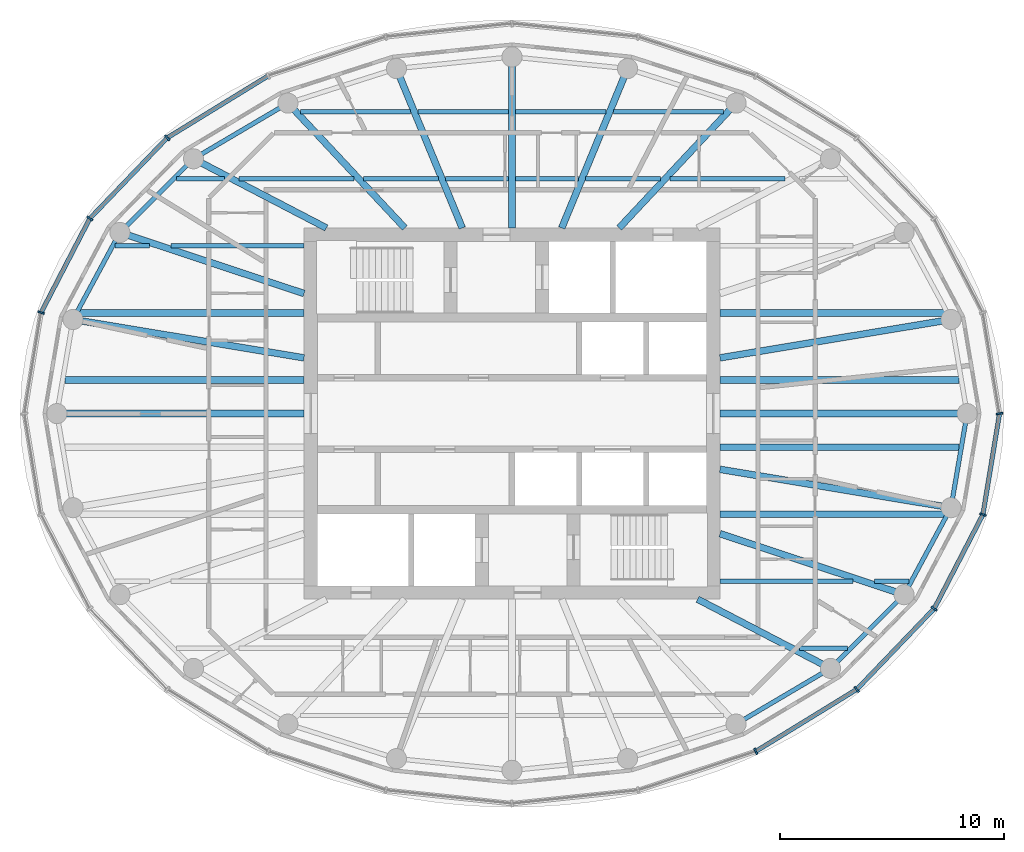
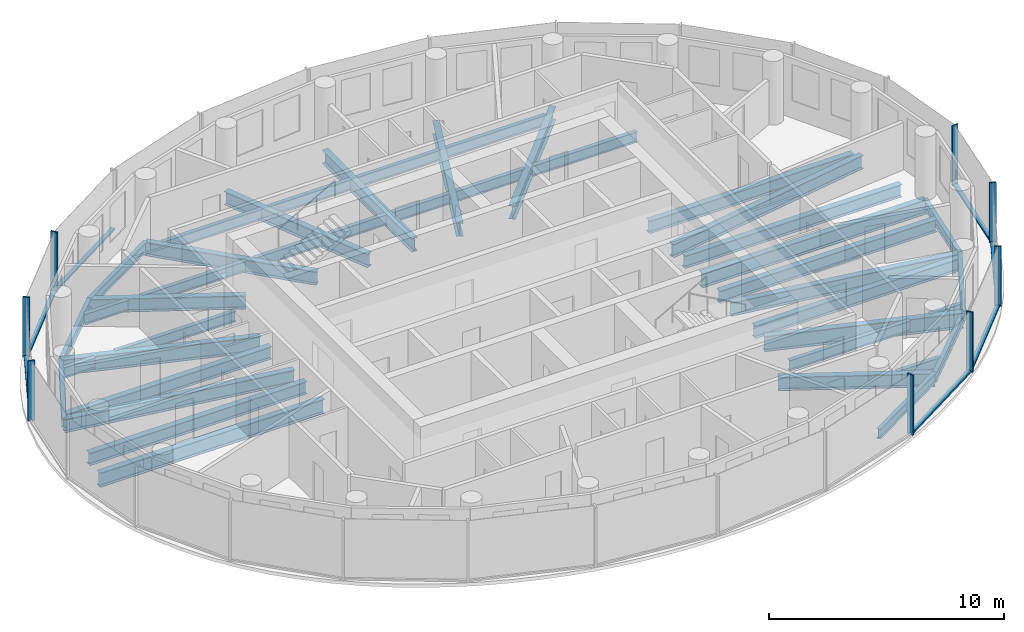
# One storey, part 2 of 11: 43 beams, 15 members, 3 elements without a shape of their own.
"""IFC4 building model written with IfcOpenShell, lengths in metres."""

from ifc_helpers import new_model, si_unit, direction, frame, origin, origin_2d, place, context, subcontext, project, spatial, rectangle, i_section, extrude, material, material_profile, profile_set, type_object, element, aggregate, save


model = new_model("IFC4")

# Units and contexts
model_context = context("Model", 3, precision=1e-05, world=origin(), true_north=direction((0.0, 1.0)))
body_context = subcontext(model_context, "Body", "Model", "MODEL_VIEW")
ifc_project = project(units=[si_unit("LENGTHUNIT", "METRE"), si_unit("AREAUNIT", "SQUARE_METRE"), si_unit("VOLUMEUNIT", "CUBIC_METRE"), si_unit("PLANEANGLEUNIT", "RADIAN"), si_unit("MASSUNIT", "GRAM", prefix="KILO")], contexts=[model_context])

# Site, building, storey
site_placement = place(None, origin())
site = spatial("IfcSite", under=ifc_project, at=site_placement, CompositionType="ELEMENT")
building_placement = place(site_placement, origin())
building = spatial("IfcBuilding", under=site, at=building_placement, Name="Hankou Lantern Tower", CompositionType="ELEMENT")
storey_placement = place(building_placement, frame((0.0, 0.0, 212.699951171875)))
storey = spatial("IfcBuildingStorey", under=building, at=storey_placement, Name="L57", CompositionType="ELEMENT", Elevation=212.699951171875)

# Beams
ifc_material_1 = material(Name="Steel Q355B", Category="steel")
ifc_material_profile_1 = material_profile(ifc_material_1, i_section(OverallWidth=0.199951171875, OverallDepth=0.5, WebThickness=0.010009765625, FlangeThickness=0.01611328125, FilletRadius=0.012939453125, at=origin_2d()), Name="HN500x200x10x16")
ifc_profile_set_1 = profile_set([ifc_material_profile_1], Name="Steel Q355B")
beam_type_1 = type_object("IfcBeamType", Name="EB5 RING BEAM HN500x200x10x16", PredefinedType="SPANDREL", material=ifc_profile_set_1)
beam_1_placement = place(storey_placement, frame((-10.01904296875, 13.8828125, -0.429931640625), z_axis=(-0.861422897323, -0.507888365655, 0.0), x_axis=(0.507888365655, -0.861422897323, 0.0)))
element("IfcBeam", 1, at=beam_1_placement, inside=storey, type_object=beam_type_1, Name="Ring beam R09-R10 L57", PredefinedType="SPANDREL", context=body_context, shape_type="SweptSolid", body=[
    extrude(i_section(OverallWidth=0.199951171875, OverallDepth=0.5, WebThickness=0.010009765625, FlangeThickness=0.01611328125, FilletRadius=0.012939453125, at=origin_2d()), origin(), (0.0, 0.0, 1.0), 4.901611328125),
])
beam_2_placement = place(storey_placement, frame((-14.241455078125, 11.393310546875, -0.429931640625), z_axis=(-0.706608588034, -0.707604623583, 0.0), x_axis=(0.707604623583, -0.706608588034, 0.0)))
element("IfcBeam", 2, at=beam_2_placement, inside=storey, type_object=beam_type_1, Name="Ring beam R10-R11 L57", PredefinedType="SPANDREL", context=body_context, shape_type="SweptSolid", body=[
    extrude(i_section(OverallWidth=0.199951171875, OverallDepth=0.5, WebThickness=0.010009765625, FlangeThickness=0.01611328125, FilletRadius=0.012939453125, at=origin_2d()), origin(), (0.0, 0.0, 1.0), 4.6572265625),
])
beam_3_placement = place(storey_placement, frame((-17.5322265625, 8.097900390625, -0.429931640625), z_axis=(-0.474491806611, -0.880259919262, 0.0), x_axis=(0.880259919262, -0.474491806611, 0.0)))
element("IfcBeam", 3, at=beam_3_placement, inside=storey, type_object=beam_type_1, Name="Ring beam R11-R12 L57", PredefinedType="SPANDREL", context=body_context, shape_type="SweptSolid", body=[
    extrude(i_section(OverallWidth=0.199951171875, OverallDepth=0.5, WebThickness=0.010009765625, FlangeThickness=0.01611328125, FilletRadius=0.012939453125, at=origin_2d()), origin(), (0.0, 0.0, 1.0), 4.419189453125),
])
beam_4_placement = place(storey_placement, frame((10.01904296875, -13.8828125, -0.429931640625), z_axis=(0.861422897323, 0.507888365655, 0.0), x_axis=(-0.507888365655, 0.861422897323, 0.0)))
element("IfcBeam", 4, at=beam_4_placement, inside=storey, type_object=beam_type_1, Name="Ring beam R21-R22 L57", PredefinedType="SPANDREL", context=body_context, shape_type="SweptSolid", body=[
    extrude(i_section(OverallWidth=0.199951171875, OverallDepth=0.5, WebThickness=0.010009765625, FlangeThickness=0.01611328125, FilletRadius=0.012939453125, at=origin_2d()), origin(), (0.0, 0.0, 1.0), 4.901611328125),
])
beam_5_placement = place(storey_placement, frame((14.241455078125, -11.393310546875, -0.429931640625), z_axis=(0.706608588034, 0.707604623583, 0.0), x_axis=(-0.707604623583, 0.706608588034, 0.0)))
element("IfcBeam", 5, at=beam_5_placement, inside=storey, type_object=beam_type_1, Name="Ring beam R22-R23 L57", PredefinedType="SPANDREL", context=body_context, shape_type="SweptSolid", body=[
    extrude(i_section(OverallWidth=0.199951171875, OverallDepth=0.5, WebThickness=0.010009765625, FlangeThickness=0.01611328125, FilletRadius=0.012939453125, at=origin_2d()), origin(), (0.0, 0.0, 1.0), 4.6572265625),
])
beam_6_placement = place(storey_placement, frame((17.5322265625, -8.097900390625, -0.429931640625), z_axis=(0.474491806611, 0.880259919262, 0.0), x_axis=(-0.880259919262, 0.474491806611, 0.0)))
element("IfcBeam", 6, at=beam_6_placement, inside=storey, type_object=beam_type_1, Name="Ring beam R23-R24 L57", PredefinedType="SPANDREL", context=body_context, shape_type="SweptSolid", body=[
    extrude(i_section(OverallWidth=0.199951171875, OverallDepth=0.5, WebThickness=0.010009765625, FlangeThickness=0.01611328125, FilletRadius=0.012939453125, at=origin_2d()), origin(), (0.0, 0.0, 1.0), 4.419189453125),
])
beam_7_placement = place(storey_placement, frame((19.629150390625, -4.207763671875, -0.429931640625), z_axis=(0.168876512999, 0.98563721691, 0.0), x_axis=(-0.98563721691, 0.168876512999, 0.0)))
element("IfcBeam", 7, at=beam_7_placement, inside=storey, type_object=beam_type_1, Name="Ring beam R24-R01 L57", PredefinedType="SPANDREL", context=body_context, shape_type="SweptSolid", body=[
    extrude(i_section(OverallWidth=0.199951171875, OverallDepth=0.5, WebThickness=0.010009765625, FlangeThickness=0.01611328125, FilletRadius=0.012939453125, at=origin_2d()), origin(), (0.0, 0.0, 1.0), 4.26904296875),
])

# Curtain wall, member
ifc_material_2 = material(Name="Glass, dark grey tinted laminated", Category="glass")
curtain_wall_type = type_object("IfcCurtainWallType", Name="CWD OUTER SKIN SUITE", PredefinedType="USERDEFINED", material=ifc_material_2)
curtain_wall_1_placement = place(storey_placement, origin())
curtain_wall_1 = element("IfcCurtainWall", 8, at=curtain_wall_1_placement, inside=storey, type_object=curtain_wall_type, Name="CWD L57 OS1", ObjectType="OUTER SKIN SUITE", PredefinedType="USERDEFINED")
ifc_material_3 = material(Name="Aluminium, black anodised", Category="aluminium")
ifc_material_profile_2 = material_profile(ifc_material_3, rectangle(XDim=0.080078125, YDim=0.300048828125, at=origin_2d()), Name="MU1 80X300")
ifc_profile_set_2 = profile_set([ifc_material_profile_2], Name="Aluminium, black anodised")
member_type_1 = type_object("IfcMemberType", Name="MU1 OUTER SKIN MULLION 80X300", PredefinedType="MULLION", material=ifc_profile_set_2)
member_1_placement = place(storey_placement, frame((21.800048828125, 0.0, 0.0), z_axis=(0.0, 0.0, 1.0), x_axis=(-0.162381515188, 0.986728049427, 0.0)))
member_1 = element("IfcMember", 9, at=member_1_placement, type_object=member_type_1, Name="CWD mullion 1", PredefinedType="MULLION", context=body_context, shape_type="SweptSolid", body=[
    extrude(rectangle(XDim=0.080078125, YDim=0.300048828125, at=origin_2d()), origin(), (0.0, 0.0, 1.0), 3.1201171875),
])
aggregate(curtain_wall_1, [member_1])

# Curtain wall, members
curtain_wall_2_placement = place(storey_placement, origin())
curtain_wall_2 = element("IfcCurtainWall", 10, at=curtain_wall_2_placement, inside=storey, type_object=curtain_wall_type, Name="CWD L57 OS2", ObjectType="OUTER SKIN SUITE", PredefinedType="USERDEFINED")
member_2_placement = place(storey_placement, frame((-15.4150390625, 12.33203125, 0.0), z_axis=(0.0, 0.0, 1.0), x_axis=(-0.780868809444, -0.624695047553, 0.0)))
member_2 = element("IfcMember", 11, at=member_2_placement, type_object=member_type_1, Name="CWD mullion 4", PredefinedType="MULLION", context=body_context, shape_type="SweptSolid", body=[
    extrude(rectangle(XDim=0.080078125, YDim=0.300048828125, at=origin_2d()), origin(), (0.0, 0.0, 1.0), 3.1201171875),
])
member_3_placement = place(storey_placement, frame((-18.87939453125, 8.719970703125, 0.0), z_axis=(0.0, 0.0, 1.0), x_axis=(-0.585205735974, -0.810884854084, 0.0)))
member_3 = element("IfcMember", 12, at=member_3_placement, type_object=member_type_1, Name="CWD mullion 5", PredefinedType="MULLION", context=body_context, shape_type="SweptSolid", body=[
    extrude(rectangle(XDim=0.080078125, YDim=0.300048828125, at=origin_2d()), origin(), (0.0, 0.0, 1.0), 3.1201171875),
])
member_4_placement = place(storey_placement, frame((-21.05712890625, 4.513916015625, 0.0), z_axis=(0.0, 0.0, 1.0), x_axis=(-0.317595577365, -0.94822626479, 0.0)))
member_4 = element("IfcMember", 13, at=member_4_placement, type_object=member_type_1, Name="CWD mullion 6", PredefinedType="MULLION", context=body_context, shape_type="SweptSolid", body=[
    extrude(rectangle(XDim=0.080078125, YDim=0.300048828125, at=origin_2d()), origin(), (0.0, 0.0, 1.0), 3.1201171875),
])

curtain_wall_3_placement = place(storey_placement, origin())
curtain_wall_3 = element("IfcCurtainWall", 14, at=curtain_wall_3_placement, inside=storey, type_object=curtain_wall_type, Name="CWD L57 OS4", ObjectType="OUTER SKIN SUITE", PredefinedType="USERDEFINED")
member_5_placement = place(storey_placement, frame((10.89990234375, -15.103515625, 0.0), z_axis=(0.0, 0.0, 1.0), x_axis=(0.907841299004, 0.419313934686, 0.0)))
member_5 = element("IfcMember", 15, at=member_5_placement, type_object=member_type_1, Name="CWD mullion 3", PredefinedType="MULLION", context=body_context, shape_type="SweptSolid", body=[
    extrude(rectangle(XDim=0.080078125, YDim=0.300048828125, at=origin_2d()), origin(), (0.0, 0.0, 1.0), 3.1201171875),
])
member_6_placement = place(storey_placement, frame((15.4150390625, -12.33203125, 0.0), z_axis=(0.0, 0.0, 1.0), x_axis=(0.780868809444, 0.624695047553, 0.0)))
member_6 = element("IfcMember", 16, at=member_6_placement, type_object=member_type_1, Name="CWD mullion 4", PredefinedType="MULLION", context=body_context, shape_type="SweptSolid", body=[
    extrude(rectangle(XDim=0.080078125, YDim=0.300048828125, at=origin_2d()), origin(), (0.0, 0.0, 1.0), 3.1201171875),
])
member_7_placement = place(storey_placement, frame((18.87939453125, -8.719970703125, 0.0), z_axis=(0.0, 0.0, 1.0), x_axis=(0.585205735974, 0.810884854084, 0.0)))
member_7 = element("IfcMember", 17, at=member_7_placement, type_object=member_type_1, Name="CWD mullion 5", PredefinedType="MULLION", context=body_context, shape_type="SweptSolid", body=[
    extrude(rectangle(XDim=0.080078125, YDim=0.300048828125, at=origin_2d()), origin(), (0.0, 0.0, 1.0), 3.1201171875),
])
member_8_placement = place(storey_placement, frame((21.05712890625, -4.513916015625, 0.0), z_axis=(0.0, 0.0, 1.0), x_axis=(0.317595577365, 0.94822626479, 0.0)))
member_8 = element("IfcMember", 18, at=member_8_placement, type_object=member_type_1, Name="CWD mullion 6", PredefinedType="MULLION", context=body_context, shape_type="SweptSolid", body=[
    extrude(rectangle(XDim=0.080078125, YDim=0.300048828125, at=origin_2d()), origin(), (0.0, 0.0, 1.0), 3.1201171875),
])

# Beams
ifc_material_4 = material(Name="Steel Q355B", Category="steel")
ifc_material_profile_3 = material_profile(ifc_material_4, i_section(OverallWidth=0.300048828125, OverallDepth=0.75, WebThickness=0.012939453125, FlangeThickness=0.02392578125, FilletRadius=0.01806640625, at=origin_2d()), Name="HN750x300x13x24")
ifc_profile_set_3 = profile_set([ifc_material_profile_3], Name="Steel Q355B")
beam_type_2 = type_object("IfcBeamType", Name="RB10 RADIAL BEAM HN750x300x13x24", PredefinedType="BEAM", material=ifc_profile_set_3)
for number, where, z_axis, x_axis, name in (
    (19, (9.300048828125, 0.0, -0.554931640625), (1.0, 0.0, 0.0), (0.0, 1.0, 0.0), "Radial beam R01 L57"),
    (20, (-9.300048828125, 0.0, -0.554931640625), (-1.0, 0.0, 0.0), (0.0, -1.0, 0.0), "Radial beam R13 L57"),
):
    element("IfcBeam", number, at=place(storey_placement, frame(where, z_axis=z_axis, x_axis=x_axis)), inside=storey, type_object=beam_type_2, Name=name, PredefinedType="BEAM", context=body_context, shape_type="SweptSolid", body=[
        extrude(i_section(OverallWidth=0.300048828125, OverallDepth=0.75, WebThickness=0.012939453125, FlangeThickness=0.02392578125, FilletRadius=0.01806640625, at=origin_2d()), origin(), (0.0, 0.0, 1.0), 11.050048828125),
    ])
ifc_material_5 = material(Name="Steel Q355B", Category="steel")
ifc_material_profile_4 = material_profile(ifc_material_5, i_section(OverallWidth=0.300048828125, OverallDepth=0.800048828125, WebThickness=0.013916015625, FlangeThickness=0.02587890625, FilletRadius=0.01806640625, at=origin_2d()), Name="HN800x300x14x26")
ifc_profile_set_4 = profile_set([ifc_material_profile_4], Name="Steel Q355B")
beam_type_3 = type_object("IfcBeamType", Name="RB11 RADIAL BEAM HN800x300x14x26", PredefinedType="BEAM", material=ifc_profile_set_4)
for number, where, z_axis, x_axis, name in (
    (21, (-9.300048828125, 5.369384765625, -0.579833984375), (-0.949219608576, 0.314614263337, 0.0), (-0.314614263337, -0.949219608576, 0.0), "Radial beam R11 L57"),
    (22, (9.300048828125, -5.369384765625, -0.579833984375), (0.949219608576, -0.314614263337, 0.0), (0.314614263337, 0.949219608576, 0.0), "Radial beam R23 L57"),
):
    element("IfcBeam", number, at=place(storey_placement, frame(where, z_axis=z_axis, x_axis=x_axis)), inside=storey, type_object=beam_type_3, Name=name, PredefinedType="BEAM", context=body_context, shape_type="SweptSolid", body=[
        extrude(i_section(OverallWidth=0.300048828125, OverallDepth=0.800048828125, WebThickness=0.013916015625, FlangeThickness=0.02587890625, FilletRadius=0.01806640625, at=origin_2d()), origin(), (0.0, 0.0, 1.0), 8.672607421875),
    ])
ifc_material_6 = material(Name="Steel Q355B", Category="steel")
ifc_material_profile_5 = material_profile(ifc_material_6, i_section(OverallWidth=0.300048828125, OverallDepth=0.699951171875, WebThickness=0.012939453125, FlangeThickness=0.02392578125, FilletRadius=0.01806640625, at=origin_2d()), Name="HN700x300x13x24")
ifc_profile_set_5 = profile_set([ifc_material_profile_5], Name="Steel Q355B")
beam_type_4 = type_object("IfcBeamType", Name="RB9 RADIAL BEAM HN700x300x13x24", PredefinedType="BEAM", material=ifc_profile_set_5)
beam_8_placement = place(storey_placement, frame((9.300048828125, 2.491943359375, -0.530029296875), z_axis=(0.986482007061, 0.163869612027, 0.0), x_axis=(-0.163869612027, 0.986482007061, 0.0)))
element("IfcBeam", 23, at=beam_8_placement, inside=storey, type_object=beam_type_4, Name="Radial beam R02 L57", PredefinedType="BEAM", context=body_context, shape_type="SweptSolid", body=[
    extrude(i_section(OverallWidth=0.300048828125, OverallDepth=0.699951171875, WebThickness=0.012939453125, FlangeThickness=0.02392578125, FilletRadius=0.01806640625, at=origin_2d()), origin(), (0.0, 0.0, 1.0), 10.470703125),
])
beam_9_placement = place(storey_placement, frame((4.7919921875, 8.300048828125, -0.530029296875), z_axis=(0.68346844743, 0.729980055459, 0.0), x_axis=(-0.729980055459, 0.68346844743, 0.0)))
element("IfcBeam", 24, at=beam_9_placement, inside=storey, type_object=beam_type_4, Name="Radial beam R05 L57", PredefinedType="BEAM", context=body_context, shape_type="SweptSolid", body=[
    extrude(i_section(OverallWidth=0.300048828125, OverallDepth=0.699951171875, WebThickness=0.012939453125, FlangeThickness=0.02392578125, FilletRadius=0.01806640625, at=origin_2d()), origin(), (0.0, 0.0, 1.0), 7.64794921875),
])
beam_10_placement = place(storey_placement, frame((2.223876953125, 8.300048828125, -0.530029296875), z_axis=(0.381706648123, 0.924283525104, 0.0), x_axis=(-0.924283525104, 0.381706648123, 0.0)))
element("IfcBeam", 25, at=beam_10_placement, inside=storey, type_object=beam_type_4, Name="Radial beam R06 L57", PredefinedType="BEAM", context=body_context, shape_type="SweptSolid", body=[
    extrude(i_section(OverallWidth=0.300048828125, OverallDepth=0.699951171875, WebThickness=0.012939453125, FlangeThickness=0.02392578125, FilletRadius=0.01806640625, at=origin_2d()), origin(), (0.0, 0.0, 1.0), 7.7109375),
])
beam_11_placement = place(storey_placement, frame((0.0, 8.300048828125, -0.530029296875), z_axis=(0.0, 1.0, 0.0), x_axis=(-1.0, 0.0, 0.0)))
element("IfcBeam", 26, at=beam_11_placement, inside=storey, type_object=beam_type_4, Name="Radial beam R07 L57", PredefinedType="BEAM", context=body_context, shape_type="SweptSolid", body=[
    extrude(i_section(OverallWidth=0.300048828125, OverallDepth=0.699951171875, WebThickness=0.012939453125, FlangeThickness=0.02392578125, FilletRadius=0.01806640625, at=origin_2d()), origin(), (0.0, 0.0, 1.0), 7.64990234375),
])
beam_12_placement = place(storey_placement, frame((-2.223876953125, 8.300048828125, -0.530029296875), z_axis=(-0.381706648123, 0.924283525104, 0.0), x_axis=(-0.924283525104, -0.381706648123, 0.0)))
element("IfcBeam", 27, at=beam_12_placement, inside=storey, type_object=beam_type_4, Name="Radial beam R08 L57", PredefinedType="BEAM", context=body_context, shape_type="SweptSolid", body=[
    extrude(i_section(OverallWidth=0.300048828125, OverallDepth=0.699951171875, WebThickness=0.012939453125, FlangeThickness=0.02392578125, FilletRadius=0.01806640625, at=origin_2d()), origin(), (0.0, 0.0, 1.0), 7.7109375),
])
beam_13_placement = place(storey_placement, frame((-4.7919921875, 8.300048828125, -0.530029296875), z_axis=(-0.68346844743, 0.729980055459, 0.0), x_axis=(-0.729980055459, -0.68346844743, 0.0)))
element("IfcBeam", 28, at=beam_13_placement, inside=storey, type_object=beam_type_4, Name="Radial beam R09 L57", PredefinedType="BEAM", context=body_context, shape_type="SweptSolid", body=[
    extrude(i_section(OverallWidth=0.300048828125, OverallDepth=0.699951171875, WebThickness=0.012939453125, FlangeThickness=0.02392578125, FilletRadius=0.01806640625, at=origin_2d()), origin(), (0.0, 0.0, 1.0), 7.64794921875),
])
beam_14_placement = place(storey_placement, frame((-8.300048828125, 8.300048828125, -0.530029296875), z_axis=(-0.886988734783, 0.461791061378, 0.0), x_axis=(-0.461791061378, -0.886988734783, 0.0)))
element("IfcBeam", 29, at=beam_14_placement, inside=storey, type_object=beam_type_4, Name="Radial beam R10 L57", PredefinedType="BEAM", context=body_context, shape_type="SweptSolid", body=[
    extrude(i_section(OverallWidth=0.300048828125, OverallDepth=0.699951171875, WebThickness=0.012939453125, FlangeThickness=0.02392578125, FilletRadius=0.01806640625, at=origin_2d()), origin(), (0.0, 0.0, 1.0), 6.698486328125),
])
beam_15_placement = place(storey_placement, frame((-9.300048828125, 2.491943359375, -0.530029296875), z_axis=(-0.986482007061, 0.163869612027, 0.0), x_axis=(-0.163869612027, -0.986482007061, 0.0)))
element("IfcBeam", 30, at=beam_15_placement, inside=storey, type_object=beam_type_4, Name="Radial beam R12 L57", PredefinedType="BEAM", context=body_context, shape_type="SweptSolid", body=[
    extrude(i_section(OverallWidth=0.300048828125, OverallDepth=0.699951171875, WebThickness=0.012939453125, FlangeThickness=0.02392578125, FilletRadius=0.01806640625, at=origin_2d()), origin(), (0.0, 0.0, 1.0), 10.470703125),
])
beam_16_placement = place(storey_placement, frame((8.300048828125, -8.300048828125, -0.530029296875), z_axis=(0.886988734783, -0.461791061378, 0.0), x_axis=(0.461791061378, 0.886988734783, 0.0)))
element("IfcBeam", 31, at=beam_16_placement, inside=storey, type_object=beam_type_4, Name="Radial beam R22 L57", PredefinedType="BEAM", context=body_context, shape_type="SweptSolid", body=[
    extrude(i_section(OverallWidth=0.300048828125, OverallDepth=0.699951171875, WebThickness=0.012939453125, FlangeThickness=0.02392578125, FilletRadius=0.01806640625, at=origin_2d()), origin(), (0.0, 0.0, 1.0), 6.698486328125),
])
beam_17_placement = place(storey_placement, frame((9.300048828125, -2.491943359375, -0.530029296875), z_axis=(0.986482007061, -0.163869612027, 0.0), x_axis=(0.163869612027, 0.986482007061, 0.0)))
element("IfcBeam", 32, at=beam_17_placement, inside=storey, type_object=beam_type_4, Name="Radial beam R24 L57", PredefinedType="BEAM", context=body_context, shape_type="SweptSolid", body=[
    extrude(i_section(OverallWidth=0.300048828125, OverallDepth=0.699951171875, WebThickness=0.012939453125, FlangeThickness=0.02392578125, FilletRadius=0.01806640625, at=origin_2d()), origin(), (0.0, 0.0, 1.0), 10.470703125),
])
ifc_material_7 = material(Name="Steel Q355B", Category="steel")
ifc_material_profile_6 = material_profile(ifc_material_7, i_section(OverallWidth=0.199951171875, OverallDepth=0.550048828125, WebThickness=0.010009765625, FlangeThickness=0.01611328125, FilletRadius=0.012939453125, at=origin_2d()), Name="HN550x200x10x16")
ifc_profile_set_6 = profile_set([ifc_material_profile_6], Name="Steel Q355B")
beam_type_5 = type_object("IfcBeamType", Name="SB6 SECONDARY BEAM HN550x200x10x16", PredefinedType="JOIST", material=ifc_profile_set_6)
beam_18_placement = place(storey_placement, frame((12.8505859375, -10.5, -0.454833984375), z_axis=(1.0, 0.0, 0.0), x_axis=(0.0, 1.0, 0.0)))
element("IfcBeam", 33, at=beam_18_placement, inside=storey, type_object=beam_type_5, Name="Floor joist J012 L57", PredefinedType="JOIST", context=body_context, shape_type="SweptSolid", body=[
    extrude(i_section(OverallWidth=0.199951171875, OverallDepth=0.550048828125, WebThickness=0.010009765625, FlangeThickness=0.01611328125, FilletRadius=0.012939453125, at=origin_2d()), origin(), (0.0, 0.0, 1.0), 2.1416015625),
])
beam_19_placement = place(storey_placement, frame((9.300048828125, -7.5, -0.454833984375), z_axis=(1.0, 0.0, 0.0), x_axis=(0.0, 1.0, 0.0)))
element("IfcBeam", 34, at=beam_19_placement, inside=storey, type_object=beam_type_5, Name="Floor joist J015 L57", PredefinedType="JOIST", context=body_context, shape_type="SweptSolid", body=[
    extrude(i_section(OverallWidth=0.199951171875, OverallDepth=0.550048828125, WebThickness=0.010009765625, FlangeThickness=0.01611328125, FilletRadius=0.012939453125, at=origin_2d()), origin(), (0.0, 0.0, 1.0), 5.95166015625),
])
for number, where, z_axis, x_axis, name in (
    (35, (16.205322265625, -7.5, -0.454833984375), (1.0, 0.0, 0.0), (0.0, 1.0, 0.0), "Floor joist J016 L57"),
    (36, (-17.740966796875, 7.5, -0.454833984375), (1.0, 0.0, 0.0), (0.0, 1.0, 0.0), "Floor joist J025 L57"),
):
    element("IfcBeam", number, at=place(storey_placement, frame(where, z_axis=z_axis, x_axis=x_axis)), inside=storey, type_object=beam_type_5, Name=name, PredefinedType="JOIST", context=body_context, shape_type="SweptSolid", body=[
        extrude(i_section(OverallWidth=0.199951171875, OverallDepth=0.550048828125, WebThickness=0.010009765625, FlangeThickness=0.01611328125, FilletRadius=0.012939453125, at=origin_2d()), origin(), (0.0, 0.0, 1.0), 1.53564453125),
    ])
beam_20_placement = place(storey_placement, frame((-15.251708984375, 7.5, -0.454833984375), z_axis=(1.0, 0.0, 0.0), x_axis=(0.0, 1.0, 0.0)))
element("IfcBeam", 37, at=beam_20_placement, inside=storey, type_object=beam_type_5, Name="Floor joist J026 L57", PredefinedType="JOIST", context=body_context, shape_type="SweptSolid", body=[
    extrude(i_section(OverallWidth=0.199951171875, OverallDepth=0.550048828125, WebThickness=0.010009765625, FlangeThickness=0.01611328125, FilletRadius=0.012939453125, at=origin_2d()), origin(), (0.0, 0.0, 1.0), 5.95166015625),
])
beam_21_placement = place(storey_placement, frame((-14.9921875, 10.5, -0.454833984375), z_axis=(1.0, 0.0, 0.0), x_axis=(0.0, 1.0, 0.0)))
element("IfcBeam", 38, at=beam_21_placement, inside=storey, type_object=beam_type_5, Name="Floor joist J029 L57", PredefinedType="JOIST", context=body_context, shape_type="SweptSolid", body=[
    extrude(i_section(OverallWidth=0.199951171875, OverallDepth=0.550048828125, WebThickness=0.010009765625, FlangeThickness=0.01611328125, FilletRadius=0.012939453125, at=origin_2d()), origin(), (0.0, 0.0, 1.0), 2.1416015625),
])
beam_22_placement = place(storey_placement, frame((-12.200927734375, 10.5, -0.454833984375), z_axis=(1.0, 0.0, 0.0), x_axis=(0.0, 1.0, 0.0)))
element("IfcBeam", 39, at=beam_22_placement, inside=storey, type_object=beam_type_5, Name="Floor joist J030 L57", PredefinedType="JOIST", context=body_context, shape_type="SweptSolid", body=[
    extrude(i_section(OverallWidth=0.199951171875, OverallDepth=0.550048828125, WebThickness=0.010009765625, FlangeThickness=0.01611328125, FilletRadius=0.012939453125, at=origin_2d()), origin(), (0.0, 0.0, 1.0), 5.1435546875),
])
beam_23_placement = place(storey_placement, frame((-6.646240234375, 10.5, -0.454833984375), z_axis=(1.0, 0.0, 0.0), x_axis=(0.0, 1.0, 0.0)))
element("IfcBeam", 40, at=beam_23_placement, inside=storey, type_object=beam_type_5, Name="Floor joist J031 L57", PredefinedType="JOIST", context=body_context, shape_type="SweptSolid", body=[
    extrude(i_section(OverallWidth=0.199951171875, OverallDepth=0.550048828125, WebThickness=0.010009765625, FlangeThickness=0.01611328125, FilletRadius=0.012939453125, at=origin_2d()), origin(), (0.0, 0.0, 1.0), 3.3515625),
])
for number, where, z_axis, x_axis, name in (
    (41, (-2.97021484375, 10.5, -0.454833984375), (1.0, 0.0, 0.0), (0.0, 1.0, 0.0), "Floor joist J032 L57"),
    (42, (0.14990234375, 10.5, -0.454833984375), (1.0, 0.0, 0.0), (0.0, 1.0, 0.0), "Floor joist J033 L57"),
):
    element("IfcBeam", number, at=place(storey_placement, frame(where, z_axis=z_axis, x_axis=x_axis)), inside=storey, type_object=beam_type_5, Name=name, PredefinedType="JOIST", context=body_context, shape_type="SweptSolid", body=[
        extrude(i_section(OverallWidth=0.199951171875, OverallDepth=0.550048828125, WebThickness=0.010009765625, FlangeThickness=0.01611328125, FilletRadius=0.012939453125, at=origin_2d()), origin(), (0.0, 0.0, 1.0), 2.8203125),
    ])
beam_24_placement = place(storey_placement, frame((3.294677734375, 10.5, -0.454833984375), z_axis=(1.0, 0.0, 0.0), x_axis=(0.0, 1.0, 0.0)))
element("IfcBeam", 43, at=beam_24_placement, inside=storey, type_object=beam_type_5, Name="Floor joist J034 L57", PredefinedType="JOIST", context=body_context, shape_type="SweptSolid", body=[
    extrude(i_section(OverallWidth=0.199951171875, OverallDepth=0.550048828125, WebThickness=0.010009765625, FlangeThickness=0.01611328125, FilletRadius=0.012939453125, at=origin_2d()), origin(), (0.0, 0.0, 1.0), 3.3515625),
])
beam_25_placement = place(storey_placement, frame((7.057373046875, 10.5, -0.454833984375), z_axis=(1.0, 0.0, 0.0), x_axis=(0.0, 1.0, 0.0)))
element("IfcBeam", 44, at=beam_25_placement, inside=storey, type_object=beam_type_5, Name="Floor joist J035 L57", PredefinedType="JOIST", context=body_context, shape_type="SweptSolid", body=[
    extrude(i_section(OverallWidth=0.199951171875, OverallDepth=0.550048828125, WebThickness=0.010009765625, FlangeThickness=0.01611328125, FilletRadius=0.012939453125, at=origin_2d()), origin(), (0.0, 0.0, 1.0), 5.1435546875),
])
beam_26_placement = place(storey_placement, frame((-9.455078125, 13.5, -0.454833984375), z_axis=(1.0, 0.0, 0.0), x_axis=(0.0, 1.0, 0.0)))
element("IfcBeam", 45, at=beam_26_placement, inside=storey, type_object=beam_type_5, Name="Floor joist J037 L57", PredefinedType="JOIST", context=body_context, shape_type="SweptSolid", body=[
    extrude(i_section(OverallWidth=0.199951171875, OverallDepth=0.550048828125, WebThickness=0.010009765625, FlangeThickness=0.01611328125, FilletRadius=0.012939453125, at=origin_2d()), origin(), (0.0, 0.0, 1.0), 4.92138671875),
])
for number, where, z_axis, x_axis, name in (
    (46, (-4.208984375, 13.5, -0.454833984375), (1.0, 0.0, 0.0), (0.0, 1.0, 0.0), "Floor joist J038 L57"),
    (47, (0.14990234375, 13.5, -0.454833984375), (1.0, 0.0, 0.0), (0.0, 1.0, 0.0), "Floor joist J039 L57"),
):
    element("IfcBeam", number, at=place(storey_placement, frame(where, z_axis=z_axis, x_axis=x_axis)), inside=storey, type_object=beam_type_5, Name=name, PredefinedType="JOIST", context=body_context, shape_type="SweptSolid", body=[
        extrude(i_section(OverallWidth=0.199951171875, OverallDepth=0.550048828125, WebThickness=0.010009765625, FlangeThickness=0.01611328125, FilletRadius=0.012939453125, at=origin_2d()), origin(), (0.0, 0.0, 1.0), 4.05908203125),
    ])
beam_27_placement = place(storey_placement, frame((4.53369140625, 13.5, -0.454833984375), z_axis=(1.0, 0.0, 0.0), x_axis=(0.0, 1.0, 0.0)))
element("IfcBeam", 48, at=beam_27_placement, inside=storey, type_object=beam_type_5, Name="Floor joist J040 L57", PredefinedType="JOIST", context=body_context, shape_type="SweptSolid", body=[
    extrude(i_section(OverallWidth=0.199951171875, OverallDepth=0.550048828125, WebThickness=0.010009765625, FlangeThickness=0.01611328125, FilletRadius=0.012939453125, at=origin_2d()), origin(), (0.0, 0.0, 1.0), 4.92138671875),
])
ifc_material_8 = material(Name="Steel Q355B", Category="steel")
ifc_material_profile_7 = material_profile(ifc_material_8, i_section(OverallWidth=0.300048828125, OverallDepth=0.64990234375, WebThickness=0.010986328125, FlangeThickness=0.01708984375, FilletRadius=0.01806640625, at=origin_2d()), Name="HN650x300x11x17")
ifc_profile_set_7 = profile_set([ifc_material_profile_7], Name="Steel Q355B")
beam_type_6 = type_object("IfcBeamType", Name="SB8 SECONDARY BEAM HN650x300x11x17", PredefinedType="JOIST", material=ifc_profile_set_7)
beam_28_placement = place(storey_placement, frame((9.300048828125, -4.5, -0.5048828125), z_axis=(1.0, 0.0, 0.0), x_axis=(0.0, 1.0, 0.0)))
element("IfcBeam", 49, at=beam_28_placement, inside=storey, type_object=beam_type_6, Name="Floor joist J018 L57", PredefinedType="JOIST", context=body_context, shape_type="SweptSolid", body=[
    extrude(i_section(OverallWidth=0.300048828125, OverallDepth=0.64990234375, WebThickness=0.010986328125, FlangeThickness=0.01708984375, FilletRadius=0.01806640625, at=origin_2d()), origin(), (0.0, 0.0, 1.0), 10.057861328125),
])
for number, where, z_axis, x_axis, name in (
    (50, (9.300048828125, -1.5, -0.5048828125), (1.0, 0.0, 0.0), (0.0, 1.0, 0.0), "Floor joist J020 L57"),
    (51, (-19.991455078125, 1.5, -0.5048828125), (1.0, 0.0, 0.0), (0.0, 1.0, 0.0), "Floor joist J021 L57"),
    (52, (9.300048828125, 1.5, -0.5048828125), (1.0, 0.0, 0.0), (0.0, 1.0, 0.0), "Floor joist J022 L57"),
):
    element("IfcBeam", number, at=place(storey_placement, frame(where, z_axis=z_axis, x_axis=x_axis)), inside=storey, type_object=beam_type_6, Name=name, PredefinedType="JOIST", context=body_context, shape_type="SweptSolid", body=[
        extrude(i_section(OverallWidth=0.300048828125, OverallDepth=0.64990234375, WebThickness=0.010986328125, FlangeThickness=0.01708984375, FilletRadius=0.01806640625, at=origin_2d()), origin(), (0.0, 0.0, 1.0), 10.69140625),
    ])
for number, where, z_axis, x_axis, name in (
    (53, (-19.35791015625, 4.5, -0.5048828125), (1.0, 0.0, 0.0), (0.0, 1.0, 0.0), "Floor joist J023 L57"),
    (54, (9.300048828125, 4.5, -0.5048828125), (1.0, 0.0, 0.0), (0.0, 1.0, 0.0), "Floor joist J024 L57"),
):
    element("IfcBeam", number, at=place(storey_placement, frame(where, z_axis=z_axis, x_axis=x_axis)), inside=storey, type_object=beam_type_6, Name=name, PredefinedType="JOIST", context=body_context, shape_type="SweptSolid", body=[
        extrude(i_section(OverallWidth=0.300048828125, OverallDepth=0.64990234375, WebThickness=0.010986328125, FlangeThickness=0.01708984375, FilletRadius=0.01806640625, at=origin_2d()), origin(), (0.0, 0.0, 1.0), 10.057861328125),
    ])

# Member
ifc_material_9 = material(Name="Aluminium, black anodised", Category="aluminium")
ifc_material_profile_8 = material_profile(ifc_material_9, rectangle(XDim=0.199951171875, YDim=0.080078125, at=origin_2d()), Name="TR1 200X80")
ifc_profile_set_8 = profile_set([ifc_material_profile_8], Name="Aluminium, black anodised")
member_type_2 = type_object("IfcMemberType", Name="TR1 OUTER SKIN TRANSOM 200X80", PredefinedType="USERDEFINED", material=ifc_profile_set_8)
member_9_placement = place(storey_placement, frame((-10.93408203125, 15.08251953125, 0.0400390625), z_axis=(-0.852234544008, -0.523159900986, 0.0), x_axis=(0.523159900986, -0.852234544008, 0.0)))
member_9 = element("IfcMember", 55, at=member_9_placement, type_object=member_type_2, Name="CWD transom 3", ObjectType="TRANSOM", PredefinedType="USERDEFINED", context=body_context, shape_type="SweptSolid", body=[
    extrude(rectangle(XDim=0.199951171875, YDim=0.080078125, at=origin_2d()), origin(), (0.0, 0.0, 1.0), 5.2177734375),
])

member_10_placement = place(storey_placement, frame((-15.442626953125, 12.302978515625, 0.0400390625), z_axis=(-0.692204633274, -0.721701285626, 0.0), x_axis=(0.721701285626, -0.692204633274, 0.0)))
member_10 = element("IfcMember", 56, at=member_10_placement, type_object=member_type_2, Name="CWD transom 4", ObjectType="TRANSOM", PredefinedType="USERDEFINED", context=body_context, shape_type="SweptSolid", body=[
    extrude(rectangle(XDim=0.199951171875, YDim=0.080078125, at=origin_2d()), origin(), (0.0, 0.0, 1.0), 4.9248046875),
])

member_11_placement = place(storey_placement, frame((-18.897705078125, 8.6845703125, 0.0400390625), z_axis=(-0.45979371115, -0.888025755925, 0.0), x_axis=(0.888025755925, -0.45979371115, 0.0)))
member_11 = element("IfcMember", 57, at=member_11_placement, type_object=member_type_2, Name="CWD transom 5", ObjectType="TRANSOM", PredefinedType="USERDEFINED", context=body_context, shape_type="SweptSolid", body=[
    extrude(rectangle(XDim=0.199951171875, YDim=0.080078125, at=origin_2d()), origin(), (0.0, 0.0, 1.0), 4.65673828125),
])

aggregate(curtain_wall_2, [member_2, member_3, member_4, member_9, member_10, member_11])

member_12_placement = place(storey_placement, frame((10.93408203125, -15.08251953125, 0.0400390625), z_axis=(0.852234544008, 0.523159900986, 0.0), x_axis=(-0.523159900986, 0.852234544008, 0.0)))
member_12 = element("IfcMember", 58, at=member_12_placement, type_object=member_type_2, Name="CWD transom 3", ObjectType="TRANSOM", PredefinedType="USERDEFINED", context=body_context, shape_type="SweptSolid", body=[
    extrude(rectangle(XDim=0.199951171875, YDim=0.080078125, at=origin_2d()), origin(), (0.0, 0.0, 1.0), 5.2177734375),
])

member_13_placement = place(storey_placement, frame((15.442626953125, -12.302978515625, 0.0400390625), z_axis=(0.692204633274, 0.721701285626, 0.0), x_axis=(-0.721701285626, 0.692204633274, 0.0)))
member_13 = element("IfcMember", 59, at=member_13_placement, type_object=member_type_2, Name="CWD transom 4", ObjectType="TRANSOM", PredefinedType="USERDEFINED", context=body_context, shape_type="SweptSolid", body=[
    extrude(rectangle(XDim=0.199951171875, YDim=0.080078125, at=origin_2d()), origin(), (0.0, 0.0, 1.0), 4.9248046875),
])

member_14_placement = place(storey_placement, frame((18.897705078125, -8.6845703125, 0.0400390625), z_axis=(0.45979371115, 0.888025755925, 0.0), x_axis=(-0.888025755925, 0.45979371115, 0.0)))
member_14 = element("IfcMember", 60, at=member_14_placement, type_object=member_type_2, Name="CWD transom 5", ObjectType="TRANSOM", PredefinedType="USERDEFINED", context=body_context, shape_type="SweptSolid", body=[
    extrude(rectangle(XDim=0.199951171875, YDim=0.080078125, at=origin_2d()), origin(), (0.0, 0.0, 1.0), 4.65673828125),
])

member_15_placement = place(storey_placement, frame((21.063720703125, -4.474365234375, 0.0400390625), z_axis=(0.162363822839, 0.986730960816, 0.0), x_axis=(-0.986730960816, 0.162363822839, 0.0)))
member_15 = element("IfcMember", 61, at=member_15_placement, type_object=member_type_2, Name="CWD transom 6", ObjectType="TRANSOM", PredefinedType="USERDEFINED", context=body_context, shape_type="SweptSolid", body=[
    extrude(rectangle(XDim=0.199951171875, YDim=0.080078125, at=origin_2d()), origin(), (0.0, 0.0, 1.0), 4.494384765625),
])

aggregate(curtain_wall_3, [member_5, member_6, member_7, member_8, member_12, member_13, member_14, member_15])

save(model, "model.ifc")
